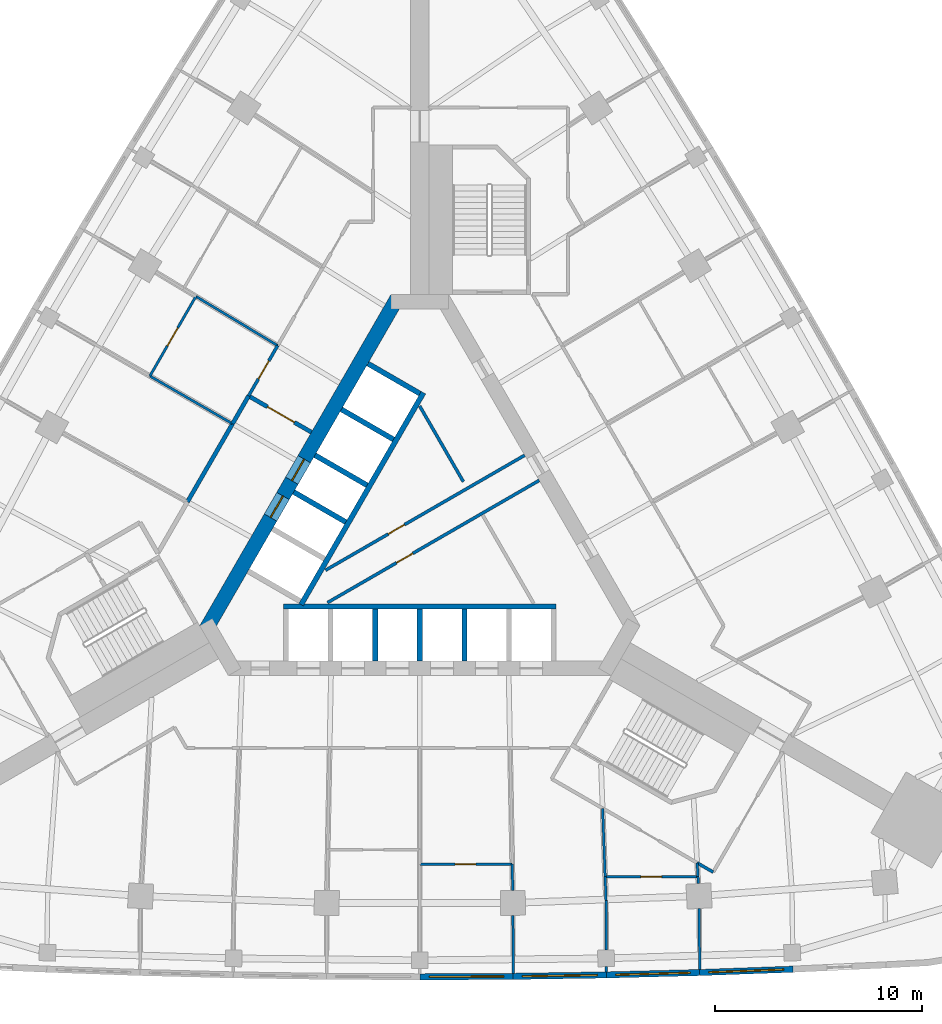
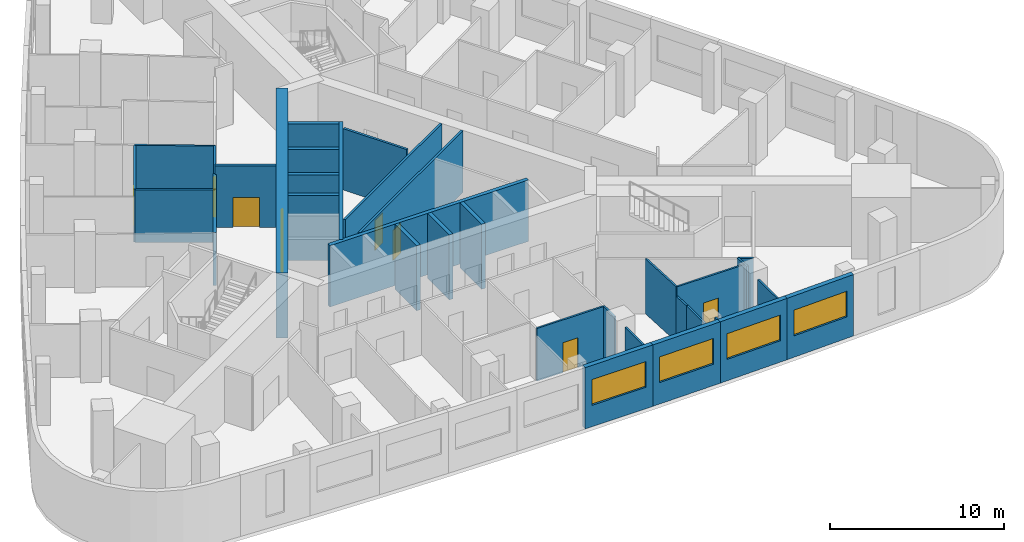
# One storey, part 6 of 11: 36 walls, 9 doors, 4 windows, 13 openings.
"""IFC4 building model written with IfcOpenShell, lengths in metres."""

from ifc_helpers import new_model, si_unit, direction, frame, frame_2d, origin, place, context, subcontext, project, spatial, rectangle, extrude, material, layer, layer_set, type_object, element, fill, save


model = new_model("IFC4")

# Units and contexts
model_context = context("Model", 3, precision=1e-05, world=origin(), true_north=direction((0.0, 1.0)))
body_context = subcontext(model_context, "Body", "Model", "MODEL_VIEW")
ifc_project = project(units=[si_unit("LENGTHUNIT", "METRE"), si_unit("AREAUNIT", "SQUARE_METRE"), si_unit("VOLUMEUNIT", "CUBIC_METRE"), si_unit("PLANEANGLEUNIT", "RADIAN"), si_unit("MASSUNIT", "GRAM", prefix="KILO")], contexts=[model_context])

# Site, building, storey
site_placement = place(None, origin())
site = spatial("IfcSite", under=ifc_project, at=site_placement, CompositionType="ELEMENT")
building_placement = place(site_placement, origin())
building = spatial("IfcBuilding", under=site, at=building_placement, Name="Noor Cloister Tower", CompositionType="ELEMENT")
storey_placement = place(building_placement, frame((0.0, 0.0, 19.5)))
storey = spatial("IfcBuildingStorey", under=building, at=storey_placement, Name="L04", CompositionType="ELEMENT", Elevation=19.5)

# Wall, opening, door
ifc_material_1 = material(Name="Concrete C30/37", Category="concrete")
ifc_layer_1 = layer(ifc_material_1, 0.14990234375)
ifc_layer_set_1 = layer_set([ifc_layer_1], Name="Core partition 150 C30/37")
wall_type_1 = type_object("IfcWallType", Name="Core partition 150 C30/37", PredefinedType="PARTITIONING", material=ifc_layer_set_1)
wall_1_placement = place(storey_placement, frame((-4.547607421875, -1.8505859375, 0.0), z_axis=(0.0, 0.0, 1.0), x_axis=(0.866023939251, 0.500002536638, 0.0)))
wall_1 = element("IfcWall", 1, at=wall_1_placement, inside=storey, type_object=wall_type_1, Name="Core room partition L04 1", PredefinedType="PARTITIONING", context=body_context, shape_type="SweptSolid", body=[
    extrude(rectangle(XDim=11.091796875, YDim=0.14990234375, at=frame_2d((5.5458984375, 0.0))), origin(), (0.0, 0.0, 1.0), 4.300048828125),
])
opening_1_placement = place(wall_1_placement, frame((3.4970703125, 0.0, 0.0)))
opening_1 = element("IfcOpeningElement", 2, at=opening_1_placement, cuts=wall_1, Name="Opening L04-906", PredefinedType="OPENING", context=body_context, shape_type="SweptSolid", body=[
    extrude(rectangle(XDim=0.89990234375, YDim=2.10009765625, at=frame_2d((0.449951171875, 1.050048828125))), frame((0.0, 0.0849609375, 0.0), z_axis=(0.0, -1.0, 0.0), x_axis=(1.0, 0.0, 0.0)), (0.0, 0.0, 1.0), 0.169921875),
])
ifc_material_2 = material(Name="Steel", Category="steel")
door_type_1 = type_object("IfcDoorType", Name="Core door 900 x 2100 FD60", OperationType="SINGLE_SWING_LEFT", PredefinedType="DOOR", material=ifc_material_2)
door_1_placement = place(opening_1_placement, origin())
door_1 = element("IfcDoor", 3, at=door_1_placement, inside=storey, type_object=door_type_1, Name="Core door 6 L04", OperationType="SINGLE_SWING_RIGHT", OverallHeight=2.10009765625, OverallWidth=0.89990234375, PredefinedType="DOOR", context=body_context, shape_type="SweptSolid", body=[
    extrude(rectangle(XDim=0.89990234375, YDim=2.10009765625, at=frame_2d((0.449951171875, 1.050048828125))), frame((0.0, 0.02490234375, 0.0), z_axis=(0.0, -1.0, 0.0), x_axis=(1.0, 0.0, 0.0)), (0.0, 0.0, 1.0), 0.050048828125),
])
fill(opening_1, door_1)

# Wall
wall_2_placement = place(storey_placement, frame((2.099365234375, 2.420166015625, 0.0), z_axis=(0.0, 0.0, 1.0), x_axis=(-0.499998449073, 0.866026299211, 0.0)))
element("IfcWall", 4, at=wall_2_placement, inside=storey, type_object=wall_type_1, Name="Core room partition L04 2", PredefinedType="PARTITIONING", context=body_context, shape_type="SweptSolid", body=[
    extrude(rectangle(XDim=4.21142578125, YDim=0.14990234375, at=frame_2d((2.105712890625, 0.0))), origin(), (0.0, 0.0, 1.0), 4.300048828125),
])

# Wall, opening, door
wall_3_placement = place(storey_placement, frame((-4.454345703125, -3.4130859375, 0.0), z_axis=(0.0, 0.0, 1.0), x_axis=(0.86603043987, 0.499991277142, 0.0)))
wall_3 = element("IfcWall", 5, at=wall_3_placement, inside=storey, type_object=wall_type_1, Name="Core room partition L04 3", PredefinedType="PARTITIONING", context=body_context, shape_type="SweptSolid", body=[
    extrude(rectangle(XDim=11.792236328125, YDim=0.14990234375, at=frame_2d((5.89599609375, 0.0))), origin(), (0.0, 0.0, 1.0), 4.300048828125),
])
opening_2_placement = place(wall_3_placement, frame((3.84716796875, 0.0, 0.0)))
opening_2 = element("IfcOpeningElement", 6, at=opening_2_placement, cuts=wall_3, Name="Opening L04-904", PredefinedType="OPENING", context=body_context, shape_type="SweptSolid", body=[
    extrude(rectangle(XDim=0.89990234375, YDim=2.10009765625, at=frame_2d((0.449951171875, 1.050048828125))), frame((0.0, 0.0849609375, 0.0), z_axis=(0.0, -1.0, 0.0), x_axis=(1.0, 0.0, 0.0)), (0.0, 0.0, 1.0), 0.169921875),
])
ifc_material_3 = material(Name="Steel", Category="steel")
door_type_2 = type_object("IfcDoorType", Name="Core door 900 x 2100 FD120", OperationType="SINGLE_SWING_LEFT", PredefinedType="DOOR", material=ifc_material_3)
door_2_placement = place(opening_2_placement, origin())
door_2 = element("IfcDoor", 7, at=door_2_placement, inside=storey, type_object=door_type_2, Name="Core door 4 L04", OperationType="SINGLE_SWING_RIGHT", OverallHeight=2.10009765625, OverallWidth=0.89990234375, PredefinedType="DOOR", context=body_context, shape_type="SweptSolid", body=[
    extrude(rectangle(XDim=0.89990234375, YDim=2.10009765625, at=frame_2d((0.449951171875, 1.050048828125))), frame((0.0, 0.02490234375, 0.0), z_axis=(0.0, -1.0, 0.0), x_axis=(1.0, 0.0, 0.0)), (0.0, 0.0, 1.0), 0.050048828125),
])
fill(opening_2, door_2)

# Wall, openings, doors
ifc_material_4 = material(Name="Concrete C80/95", Category="concrete")
ifc_layer_2 = layer(ifc_material_4, 0.699951171875)
ifc_layer_set_2 = layer_set([ifc_layer_2], Name="Core wall 700 C80/95")
wall_type_2 = type_object("IfcWallType", Name="Core wall 700 C80/95", PredefinedType="SHEAR", material=ifc_layer_set_2)
wall_4_placement = place(storey_placement, frame((-1.08251953125, 11.281494140625, -0.25), z_axis=(0.0, 0.0, 1.0), x_axis=(-0.500001446645, -0.866024568562, 0.0)))
wall_4 = element("IfcWall", 8, at=wall_4_placement, inside=storey, type_object=wall_type_2, Name="Core wall L04 5", PredefinedType="SHEAR", context=body_context, shape_type="SweptSolid", body=[
    extrude(rectangle(XDim=18.45751953125, YDim=0.699951171875, at=frame_2d((9.228759765625, 0.0))), origin(), (0.0, 0.0, 1.0), 4.550048828125),
])
opening_3_placement = place(wall_4_placement, frame((8.978759765625, 0.0, 0.25)))
opening_3 = element("IfcOpeningElement", 9, at=opening_3_placement, cuts=wall_4, Name="Opening L04-FF1", PredefinedType="OPENING", context=body_context, shape_type="SweptSolid", body=[
    extrude(rectangle(XDim=1.199951171875, YDim=2.10009765625, at=frame_2d((0.60009765625, 1.050048828125))), frame((0.0, 0.35986328125, 0.0), z_axis=(0.0, -1.0, 0.0), x_axis=(1.0, 0.0, 0.0)), (0.0, 0.0, 1.0), 0.719970703125),
])
opening_4_placement = place(wall_4_placement, frame((11.02880859375, 0.0, 0.25)))
opening_4 = element("IfcOpeningElement", 10, at=opening_4_placement, cuts=wall_4, Name="Opening L04-FF2", PredefinedType="OPENING", context=body_context, shape_type="SweptSolid", body=[
    extrude(rectangle(XDim=1.199951171875, YDim=2.10009765625, at=frame_2d((0.60009765625, 1.050048828125))), frame((0.0, 0.35986328125, 0.0), z_axis=(0.0, -1.0, 0.0), x_axis=(1.0, 0.0, 0.0)), (0.0, 0.0, 1.0), 0.719970703125),
])
ifc_material_5 = material(Name="Stainless steel", Category="steel")
door_type_3 = type_object("IfcDoorType", Name="Lift landing door 1200 x 2100", OperationType="DOUBLE_DOOR_SLIDING", PredefinedType="DOOR", material=ifc_material_5)
door_3_placement = place(opening_3_placement, origin())
door_3 = element("IfcDoor", 11, at=door_3_placement, inside=storey, type_object=door_type_3, Name="Landing door FF1 L04", OperationType="DOUBLE_DOOR_SLIDING", OverallHeight=2.10009765625, OverallWidth=1.199951171875, PredefinedType="DOOR", context=body_context, shape_type="SweptSolid", body=[
    extrude(rectangle(XDim=1.199951171875, YDim=2.10009765625, at=frame_2d((0.60009765625, 1.050048828125))), frame((0.0, 0.02490234375, 0.0), z_axis=(0.0, -1.0, 0.0), x_axis=(1.0, 0.0, 0.0)), (0.0, 0.0, 1.0), 0.050048828125),
])
fill(opening_3, door_3)
door_4_placement = place(opening_4_placement, origin())
door_4 = element("IfcDoor", 12, at=door_4_placement, inside=storey, type_object=door_type_3, Name="Landing door FF2 L04", OperationType="DOUBLE_DOOR_SLIDING", OverallHeight=2.10009765625, OverallWidth=1.199951171875, PredefinedType="DOOR", context=body_context, shape_type="SweptSolid", body=[
    extrude(rectangle(XDim=1.199951171875, YDim=2.10009765625, at=frame_2d((0.60009765625, 1.050048828125))), frame((0.0, 0.02490234375, 0.0), z_axis=(0.0, -1.0, 0.0), x_axis=(1.0, 0.0, 0.0)), (0.0, 0.0, 1.0), 0.050048828125),
])
fill(opening_4, door_4)

# Wall
ifc_material_6 = material(Name="Plasterboard on steel studs", Category="steel")
ifc_layer_3 = layer(ifc_material_6, 0.14990234375)
ifc_layer_set_3 = layer_set([ifc_layer_3], Name="Corridor wall 150")
wall_type_3 = type_object("IfcWallType", Name="Corridor wall 150", PredefinedType="PARTITIONING", material=ifc_layer_set_3)
wall_5_placement = place(storey_placement, frame((14.14697265625, -16.406982421875, 0.0), z_axis=(0.0, 0.0, 1.0), x_axis=(-0.866276218641, 0.499565324075, 0.0)))
element("IfcWall", 13, at=wall_5_placement, inside=storey, type_object=wall_type_3, Name="Partition", PredefinedType="PARTITIONING", context=body_context, shape_type="SweptSolid", body=[
    extrude(rectangle(XDim=0.896728515625, YDim=0.14990234375, at=frame_2d((0.4482421875, 0.0))), origin(), (0.0, 0.0, 1.0), 3.89404296875),
])

# Wall, opening, door
wall_6_placement = place(storey_placement, frame((-8.256103515625, 6.55810546875, 0.0), z_axis=(0.0, 0.0, 1.0), x_axis=(0.500081734942, 0.86597820895, 0.0)))
wall_6 = element("IfcWall", 14, at=wall_6_placement, inside=storey, type_object=wall_type_3, Name="Partition", PredefinedType="PARTITIONING", context=body_context, shape_type="SweptSolid", body=[
    extrude(rectangle(XDim=2.8037109375, YDim=0.14990234375, at=frame_2d((1.40185546875, 0.0))), origin(), (0.0, 0.0, 1.0), 3.697998046875),
])
opening_5_placement = place(wall_6_placement, frame((0.949951171875, 0.0, 0.0)))
opening_5 = element("IfcOpeningElement", 15, at=opening_5_placement, cuts=wall_6, Name="Opening L04-019", PredefinedType="OPENING", context=body_context, shape_type="SweptSolid", body=[
    extrude(rectangle(XDim=1.0, YDim=2.10009765625, at=frame_2d((0.5, 1.050048828125))), frame((0.0, 0.0849609375, 0.0), z_axis=(0.0, -1.0, 0.0), x_axis=(1.0, 0.0, 0.0)), (0.0, 0.0, 1.0), 0.169921875),
])
ifc_material_7 = material(Name="Timber door leaf", Category="wood")
door_type_4 = type_object("IfcDoorType", Name="Clinic room door 1000", OperationType="SINGLE_SWING_LEFT", PredefinedType="DOOR", material=ifc_material_7)
door_5_placement = place(opening_5_placement, origin())
door_5 = element("IfcDoor", 16, at=door_5_placement, inside=storey, type_object=door_type_4, Name="Door L04-019", OperationType="SINGLE_SWING_RIGHT", OverallHeight=2.10009765625, OverallWidth=1.0, PredefinedType="DOOR", context=body_context, shape_type="SweptSolid", body=[
    extrude(rectangle(XDim=1.0, YDim=2.10009765625, at=frame_2d((0.5, 1.050048828125))), frame((0.0, 0.02490234375, 0.0), z_axis=(0.0, -1.0, 0.0), x_axis=(1.0, 0.0, 0.0)), (0.0, 0.0, 1.0), 0.050048828125),
])
fill(opening_5, door_5)

# Walls
ifc_material_8 = material(Name="Reinforced blockwork", Category="masonry")
ifc_layer_4 = layer(ifc_material_8, 0.199951171875)
ifc_layer_set_4 = layer_set([ifc_layer_4], Name="Fire rated block wall 200")
wall_type_4 = type_object("IfcWallType", Name="Fire rated block wall 200", PredefinedType="PARTITIONING", material=ifc_layer_set_4)
wall_7_placement = place(storey_placement, frame((-9.031005859375, 5.212890625, 0.0), z_axis=(0.0, 0.0, 1.0), x_axis=(-0.500044734646, -0.865999574684, 0.0)))
element("IfcWall", 17, at=wall_7_placement, inside=storey, type_object=wall_type_4, Name="Fire rated wall", PredefinedType="PARTITIONING", context=body_context, shape_type="SweptSolid", body=[
    extrude(rectangle(XDim=4.349609375, YDim=0.199951171875, at=frame_2d((2.1748046875, 0.0))), origin(), (0.0, 0.0, 1.0), 3.68798828125),
])
wall_8_placement = place(storey_placement, frame((-8.256103515625, 6.554931640625, 0.0), z_axis=(0.0, 0.0, 1.0), x_axis=(-0.499904469662, -0.866080551226, 0.0)))
element("IfcWall", 18, at=wall_8_placement, inside=storey, type_object=wall_type_4, Name="Fire rated wall", PredefinedType="PARTITIONING", context=body_context, shape_type="SweptSolid", body=[
    extrude(rectangle(XDim=1.548095703125, YDim=0.199951171875, at=frame_2d((0.77392578125, 0.0))), origin(), (0.0, 0.0, 1.0), 3.68798828125),
])

# Wall, opening, door
wall_9_placement = place(storey_placement, frame((-5.22607421875, 4.805908203125, 0.0), z_axis=(0.0, 0.0, 1.0), x_axis=(-0.865949687125, 0.500131122175, 0.0)))
wall_9 = element("IfcWall", 19, at=wall_9_placement, inside=storey, type_object=wall_type_4, Name="Fire rated wall", PredefinedType="PARTITIONING", context=body_context, shape_type="SweptSolid", body=[
    extrude(rectangle(XDim=3.4990234375, YDim=0.199951171875, at=frame_2d((1.74951171875, 0.0))), origin(), (0.0, 0.0, 1.0), 4.300048828125),
])
opening_6_placement = place(wall_9_placement, frame((0.949951171875, 0.0, 0.0)))
opening_6 = element("IfcOpeningElement", 20, at=opening_6_placement, cuts=wall_9, Name="Opening L04-032", PredefinedType="OPENING", context=body_context, shape_type="SweptSolid", body=[
    extrude(rectangle(XDim=1.5, YDim=2.10009765625, at=frame_2d((0.75, 1.050048828125))), frame((0.0, 0.10986328125, 0.0), z_axis=(0.0, -1.0, 0.0), x_axis=(1.0, 0.0, 0.0)), (0.0, 0.0, 1.0), 0.219970703125),
])
ifc_material_9 = material(Name="Steel fire door", Category="steel")
door_type_5 = type_object("IfcDoorType", Name="Smoke barrier door FD60 1500", OperationType="DOUBLE_DOOR_SINGLE_SWING", PredefinedType="DOOR", material=ifc_material_9)
door_6_placement = place(opening_6_placement, origin())
door_6 = element("IfcDoor", 21, at=door_6_placement, inside=storey, type_object=door_type_5, Name="Door L04-032", OperationType="DOUBLE_DOOR_SINGLE_SWING", OverallHeight=2.10009765625, OverallWidth=1.5, PredefinedType="DOOR", context=body_context, shape_type="SweptSolid", body=[
    extrude(rectangle(XDim=1.5, YDim=2.10009765625, at=frame_2d((0.75, 1.050048828125))), frame((0.0, 0.02490234375, 0.0), z_axis=(0.0, -1.0, 0.0), x_axis=(1.0, 0.0, 0.0)), (0.0, 0.0, 1.0), 0.050048828125),
])
fill(opening_6, door_6)

# Wall, opening, window
ifc_material_10 = material(Name="Limestone", Category="masonry")
ifc_layer_5 = layer(ifc_material_10, 0.300048828125)
ifc_layer_set_5 = layer_set([ifc_layer_5], Name="Limestone panel wall 300")
wall_type_5 = type_object("IfcWallType", Name="Limestone panel wall 300", PredefinedType="NOTDEFINED", material=ifc_layer_set_5)
wall_10_placement = place(storey_placement, frame((4.4970703125, -21.43408203125, 0.0), z_axis=(0.0, 0.0, 1.0), x_axis=(-0.999986693461, -0.005158769258, 0.0)))
wall_10 = element("IfcWall", 22, at=wall_10_placement, inside=storey, type_object=wall_type_5, Name="Limestone wall L04 S 6", PredefinedType="NOTDEFINED", context=body_context, shape_type="SweptSolid", body=[
    extrude(rectangle(XDim=4.495849609375, YDim=0.300048828125, at=frame_2d((2.248046875, 0.0))), origin(), (0.0, 0.0, 1.0), 4.300048828125),
])
opening_7_placement = place(wall_10_placement, frame((0.447998046875, 0.0, 1.5)))
opening_7 = element("IfcOpeningElement", 23, at=opening_7_placement, cuts=wall_10, Name="Opening L04-W16", PredefinedType="OPENING", context=body_context, shape_type="SweptSolid", body=[
    extrude(rectangle(XDim=3.60009765625, YDim=1.800048828125, at=frame_2d((1.800048828125, 0.89990234375))), frame((0.0, 0.16015625, 0.0), z_axis=(0.0, -1.0, 0.0), x_axis=(1.0, 0.0, 0.0)), (0.0, 0.0, 1.0), 0.320068359375),
])
ifc_material_11 = material(Name="Aluminium 6063-T6 anodised", Category="aluminium")
window_type = type_object("IfcWindowType", Name="Clerestory window 3600 x 1800", PartitioningType="SINGLE_PANEL", PredefinedType="WINDOW", material=ifc_material_11)
window_1_placement = place(opening_7_placement, origin())
window_1 = element("IfcWindow", 24, at=window_1_placement, inside=storey, type_object=window_type, Name="Window L04 16", OverallHeight=1.800048828125, OverallWidth=3.60009765625, PartitioningType="SINGLE_PANEL", PredefinedType="WINDOW", context=body_context, shape_type="SweptSolid", body=[
    extrude(rectangle(XDim=3.60009765625, YDim=1.800048828125, at=frame_2d((1.800048828125, 0.89990234375))), frame((0.0, 0.030029296875, 0.0), z_axis=(0.0, -1.0, 0.0), x_axis=(1.0, 0.0, 0.0)), (0.0, 0.0, 1.0), 0.06005859375),
])
fill(opening_7, window_1)

wall_11_placement = place(storey_placement, frame((8.9951171875, -21.364990234375, 0.0), z_axis=(0.0, 0.0, 1.0), x_axis=(-0.999881921814, -0.015366926462, 0.0)))
wall_11 = element("IfcWall", 25, at=wall_11_placement, inside=storey, type_object=wall_type_5, Name="Limestone wall L04 S 7", PredefinedType="NOTDEFINED", context=body_context, shape_type="SweptSolid", body=[
    extrude(rectangle(XDim=4.49609375, YDim=0.300048828125, at=frame_2d((2.248046875, 0.0))), origin(), (0.0, 0.0, 1.0), 4.300048828125),
])
opening_8_placement = place(wall_11_placement, frame((0.447998046875, 0.0, 1.5)))
opening_8 = element("IfcOpeningElement", 26, at=opening_8_placement, cuts=wall_11, Name="Opening L04-W17", PredefinedType="OPENING", context=body_context, shape_type="SweptSolid", body=[
    extrude(rectangle(XDim=3.60009765625, YDim=1.800048828125, at=frame_2d((1.800048828125, 0.89990234375))), frame((0.0, 0.16015625, 0.0), z_axis=(0.0, -1.0, 0.0), x_axis=(1.0, 0.0, 0.0)), (0.0, 0.0, 1.0), 0.320068359375),
])
window_2_placement = place(opening_8_placement, origin())
window_2 = element("IfcWindow", 27, at=window_2_placement, inside=storey, type_object=window_type, Name="Window L04 17", OverallHeight=1.800048828125, OverallWidth=3.60009765625, PartitioningType="SINGLE_PANEL", PredefinedType="WINDOW", context=body_context, shape_type="SweptSolid", body=[
    extrude(rectangle(XDim=3.60009765625, YDim=1.800048828125, at=frame_2d((1.800048828125, 0.89990234375))), frame((0.0, 0.030029296875, 0.0), z_axis=(0.0, -1.0, 0.0), x_axis=(1.0, 0.0, 0.0)), (0.0, 0.0, 1.0), 0.06005859375),
])
fill(opening_8, window_2)

wall_12_placement = place(storey_placement, frame((13.491943359375, -21.24951171875, 0.0), z_axis=(0.0, 0.0, 1.0), x_axis=(-0.999671466587, -0.025631209312, 0.0)))
wall_12 = element("IfcWall", 28, at=wall_12_placement, inside=storey, type_object=wall_type_5, Name="Limestone wall L04 S 8", PredefinedType="NOTDEFINED", context=body_context, shape_type="SweptSolid", body=[
    extrude(rectangle(XDim=4.495849609375, YDim=0.300048828125, at=frame_2d((2.248046875, 0.0))), origin(), (0.0, 0.0, 1.0), 4.300048828125),
])
opening_9_placement = place(wall_12_placement, frame((0.447998046875, 0.0, 1.5)))
opening_9 = element("IfcOpeningElement", 29, at=opening_9_placement, cuts=wall_12, Name="Opening L04-W18", PredefinedType="OPENING", context=body_context, shape_type="SweptSolid", body=[
    extrude(rectangle(XDim=3.60009765625, YDim=1.800048828125, at=frame_2d((1.800048828125, 0.89990234375))), frame((0.0, 0.16015625, 0.0), z_axis=(0.0, -1.0, 0.0), x_axis=(1.0, 0.0, 0.0)), (0.0, 0.0, 1.0), 0.320068359375),
])
window_3_placement = place(opening_9_placement, origin())
window_3 = element("IfcWindow", 30, at=window_3_placement, inside=storey, type_object=window_type, Name="Window L04 18", OverallHeight=1.800048828125, OverallWidth=3.60009765625, PartitioningType="SINGLE_PANEL", PredefinedType="WINDOW", context=body_context, shape_type="SweptSolid", body=[
    extrude(rectangle(XDim=3.60009765625, YDim=1.800048828125, at=frame_2d((1.800048828125, 0.89990234375))), frame((0.0, 0.030029296875, 0.0), z_axis=(0.0, -1.0, 0.0), x_axis=(1.0, 0.0, 0.0)), (0.0, 0.0, 1.0), 0.06005859375),
])
fill(opening_9, window_3)

wall_13_placement = place(storey_placement, frame((17.987548828125, -21.087890625, 0.0), z_axis=(0.0, 0.0, 1.0), x_axis=(-0.999355640029, -0.035892962294, 0.0)))
wall_13 = element("IfcWall", 31, at=wall_13_placement, inside=storey, type_object=wall_type_5, Name="Limestone wall L04 S 9", PredefinedType="NOTDEFINED", context=body_context, shape_type="SweptSolid", body=[
    extrude(rectangle(XDim=4.49609375, YDim=0.300048828125, at=frame_2d((2.248046875, 0.0))), origin(), (0.0, 0.0, 1.0), 4.300048828125),
])
opening_10_placement = place(wall_13_placement, frame((0.447998046875, 0.0, 1.5)))
opening_10 = element("IfcOpeningElement", 32, at=opening_10_placement, cuts=wall_13, Name="Opening L04-W19", PredefinedType="OPENING", context=body_context, shape_type="SweptSolid", body=[
    extrude(rectangle(XDim=3.60009765625, YDim=1.800048828125, at=frame_2d((1.800048828125, 0.89990234375))), frame((0.0, 0.16015625, 0.0), z_axis=(0.0, -1.0, 0.0), x_axis=(1.0, 0.0, 0.0)), (0.0, 0.0, 1.0), 0.320068359375),
])
window_4_placement = place(opening_10_placement, origin())
window_4 = element("IfcWindow", 33, at=window_4_placement, inside=storey, type_object=window_type, Name="Window L04 19", OverallHeight=1.800048828125, OverallWidth=3.60009765625, PartitioningType="SINGLE_PANEL", PredefinedType="WINDOW", context=body_context, shape_type="SweptSolid", body=[
    extrude(rectangle(XDim=3.60009765625, YDim=1.800048828125, at=frame_2d((1.800048828125, 0.89990234375))), frame((0.0, 0.030029296875, 0.0), z_axis=(0.0, -1.0, 0.0), x_axis=(1.0, 0.0, 0.0)), (0.0, 0.0, 1.0), 0.06005859375),
])
fill(opening_10, window_4)

# Walls
ifc_material_12 = material(Name="Plasterboard on steel studs", Category="steel")
ifc_layer_6 = layer(ifc_material_12, 0.1201171875)
ifc_layer_set_6 = layer_set([ifc_layer_6], Name="Partition wall 120")
wall_type_6 = type_object("IfcWallType", Name="Partition wall 120", PredefinedType="PARTITIONING", material=ifc_layer_set_6)
wall_14_placement = place(storey_placement, frame((4.47802734375, -17.291015625, 0.0), z_axis=(0.0, 0.0, 1.0), x_axis=(-0.018108783452, 0.999836022537, 0.0)))
element("IfcWall", 34, at=wall_14_placement, inside=storey, type_object=wall_type_6, Name="Partition", PredefinedType="PARTITIONING", context=body_context, shape_type="SweptSolid", body=[
    extrude(rectangle(XDim=1.267333984375, YDim=0.1201171875, at=frame_2d((0.6337890625, 0.0))), origin(), (0.0, 0.0, 1.0), 3.697998046875),
])
wall_15_placement = place(storey_placement, frame((4.4990234375, -21.283935546875, 0.0), z_axis=(0.0, 0.0, 1.0), x_axis=(-0.00288561233, 0.999995836612, 0.0)))
element("IfcWall", 35, at=wall_15_placement, inside=storey, type_object=wall_type_6, Name="Partition", PredefinedType="PARTITIONING", context=body_context, shape_type="SweptSolid", body=[
    extrude(rectangle(XDim=2.7919921875, YDim=0.1201171875, at=frame_2d((1.39599609375, 0.0))), origin(), (0.0, 0.0, 1.0), 3.68310546875),
])

# Wall, opening, door
wall_16_placement = place(storey_placement, frame((4.455078125, -16.028076171875, 0.0), z_axis=(0.0, 0.0, 1.0), x_axis=(-1.0, 0.0, 0.0)))
wall_16 = element("IfcWall", 36, at=wall_16_placement, inside=storey, type_object=wall_type_6, Name="Partition", PredefinedType="PARTITIONING", context=body_context, shape_type="SweptSolid", body=[
    extrude(rectangle(XDim=4.455078125, YDim=0.1201171875, at=frame_2d((2.2275390625, 0.0))), origin(), (0.0, 0.0, 1.0), 3.68798828125),
])
opening_11_placement = place(wall_16_placement, frame((1.75, 0.0, 0.0)))
opening_11 = element("IfcOpeningElement", 37, at=opening_11_placement, cuts=wall_16, Name="Opening L04-001", PredefinedType="OPENING", context=body_context, shape_type="SweptSolid", body=[
    extrude(rectangle(XDim=1.0, YDim=2.10009765625, at=frame_2d((0.5, 1.050048828125))), frame((0.0, 0.070068359375, 0.0), z_axis=(0.0, -1.0, 0.0), x_axis=(1.0, 0.0, 0.0)), (0.0, 0.0, 1.0), 0.14013671875),
])
door_7_placement = place(opening_11_placement, origin())
door_7 = element("IfcDoor", 38, at=door_7_placement, inside=storey, type_object=door_type_4, Name="Door L04-001", OperationType="SINGLE_SWING_RIGHT", OverallHeight=2.10009765625, OverallWidth=1.0, PredefinedType="DOOR", context=body_context, shape_type="SweptSolid", body=[
    extrude(rectangle(XDim=1.0, YDim=2.10009765625, at=frame_2d((0.5, 1.050048828125))), frame((0.0, 0.02490234375, 0.0), z_axis=(0.0, -1.0, 0.0), x_axis=(1.0, 0.0, 0.0)), (0.0, 0.0, 1.0), 0.050048828125),
])
fill(opening_11, door_7)

# Walls
wall_17_placement = place(storey_placement, frame((13.428955078125, -16.958984375, 0.0), z_axis=(0.0, 0.0, 1.0), x_axis=(-0.053857579026, 0.998548627349, 0.0)))
element("IfcWall", 39, at=wall_17_placement, inside=storey, type_object=wall_type_6, Name="Partition", PredefinedType="PARTITIONING", context=body_context, shape_type="SweptSolid", body=[
    extrude(rectangle(XDim=0.33544921875, YDim=0.1201171875, at=frame_2d((0.167724609375, 0.0))), origin(), (0.0, 0.0, 1.0), 3.89404296875),
])
wall_18_placement = place(storey_placement, frame((13.4951171875, -21.09912109375, 0.0), z_axis=(0.0, 0.0, 1.0), x_axis=(-0.009216581037, 0.999957526415, 0.0)))
element("IfcWall", 40, at=wall_18_placement, inside=storey, type_object=wall_type_6, Name="Partition", PredefinedType="PARTITIONING", context=body_context, shape_type="SweptSolid", body=[
    extrude(rectangle(XDim=2.9404296875, YDim=0.1201171875, at=frame_2d((1.47021484375, 0.0))), origin(), (0.0, 0.0, 1.0), 3.68310546875),
])
wall_19_placement = place(storey_placement, frame((8.93603515625, -16.6240234375, 0.0), z_axis=(0.0, 0.0, 1.0), x_axis=(0.036711673362, -0.999325899314, 0.0)))
element("IfcWall", 41, at=wall_19_placement, inside=storey, type_object=wall_type_6, Name="Partition", PredefinedType="PARTITIONING", context=body_context, shape_type="SweptSolid", body=[
    extrude(rectangle(XDim=1.143798828125, YDim=0.1201171875, at=frame_2d((0.57177734375, 0.0))), origin(), (0.0, 0.0, 1.0), 3.179931640625),
])
wall_20_placement = place(storey_placement, frame((8.97802734375, -17.76708984375, 0.0), z_axis=(0.0, 0.0, 1.0), x_axis=(0.005803200997, -0.999983161287, 0.0)))
element("IfcWall", 42, at=wall_20_placement, inside=storey, type_object=wall_type_6, Name="Partition", PredefinedType="PARTITIONING", context=body_context, shape_type="SweptSolid", body=[
    extrude(rectangle(XDim=2.39794921875, YDim=0.1201171875, at=frame_2d((1.198974609375, 0.0))), origin(), (0.0, 0.0, 1.0), 3.179931640625),
])
wall_21_placement = place(storey_placement, frame((8.99609375, -20.965087890625, 0.0), z_axis=(0.0, 0.0, 1.0), x_axis=(0.007812261592, -0.999969483819, 0.0)))
element("IfcWall", 43, at=wall_21_placement, inside=storey, type_object=wall_type_6, Name="Partition", PredefinedType="PARTITIONING", context=body_context, shape_type="SweptSolid", body=[
    extrude(rectangle(XDim=0.25, YDim=0.1201171875, at=frame_2d((0.125, 0.0))), origin(), (0.0, 0.0, 1.0), 4.300048828125),
])

# Wall, opening, door
wall_22_placement = place(storey_placement, frame((13.410888671875, -16.6279296875, 0.0), z_axis=(0.0, 0.0, 1.0), x_axis=(-1.0, 0.0, 0.0)))
wall_22 = element("IfcWall", 44, at=wall_22_placement, inside=storey, type_object=wall_type_6, Name="Partition", PredefinedType="PARTITIONING", context=body_context, shape_type="SweptSolid", body=[
    extrude(rectangle(XDim=4.475830078125, YDim=0.1201171875, at=frame_2d((2.23779296875, 0.0))), origin(), (0.0, 0.0, 1.0), 3.843017578125),
])
opening_12_placement = place(wall_22_placement, frame((1.75, 0.0, 0.0)))
opening_12 = element("IfcOpeningElement", 45, at=opening_12_placement, cuts=wall_22, Name="Opening L04-002", PredefinedType="OPENING", context=body_context, shape_type="SweptSolid", body=[
    extrude(rectangle(XDim=1.0, YDim=2.10009765625, at=frame_2d((0.5, 1.050048828125))), frame((0.0, 0.070068359375, 0.0), z_axis=(0.0, -1.0, 0.0), x_axis=(1.0, 0.0, 0.0)), (0.0, 0.0, 1.0), 0.14013671875),
])
door_8_placement = place(opening_12_placement, origin())
door_8 = element("IfcDoor", 46, at=door_8_placement, inside=storey, type_object=door_type_4, Name="Door L04-002", OperationType="SINGLE_SWING_RIGHT", OverallHeight=2.10009765625, OverallWidth=1.0, PredefinedType="DOOR", context=body_context, shape_type="SweptSolid", body=[
    extrude(rectangle(XDim=1.0, YDim=2.10009765625, at=frame_2d((0.5, 1.050048828125))), frame((0.0, 0.02490234375, 0.0), z_axis=(0.0, -1.0, 0.0), x_axis=(1.0, 0.0, 0.0)), (0.0, 0.0, 1.0), 0.050048828125),
])
fill(opening_12, door_8)

# Walls
wall_23_placement = place(storey_placement, frame((13.373046875, -15.9609375, 0.0), z_axis=(0.0, 0.0, 1.0), x_axis=(0.056726690049, -0.998389744857, 0.0)))
element("IfcWall", 47, at=wall_23_placement, inside=storey, type_object=wall_type_6, Name="Partition", PredefinedType="PARTITIONING", context=body_context, shape_type="SweptSolid", body=[
    extrude(rectangle(XDim=0.6669921875, YDim=0.1201171875, at=frame_2d((0.33349609375, 0.0))), origin(), (0.0, 0.0, 1.0), 3.89404296875),
])
wall_24_placement = place(storey_placement, frame((8.93505859375, -16.626953125, 0.0), z_axis=(0.0, 0.0, 1.0), x_axis=(-0.036989770664, 0.999315644262, 0.0)))
element("IfcWall", 48, at=wall_24_placement, inside=storey, type_object=wall_type_6, Name="Partition", PredefinedType="PARTITIONING", context=body_context, shape_type="SweptSolid", body=[
    extrude(rectangle(XDim=3.300048828125, YDim=0.1201171875, at=frame_2d((1.64990234375, 0.0))), origin(), (0.0, 0.0, 1.0), 3.843017578125),
])
wall_25_placement = place(storey_placement, frame((-9.031982421875, 5.214111328125, 0.0), z_axis=(0.0, 0.0, 1.0), x_axis=(-0.866038805516, 0.499976786802, 0.0)))
element("IfcWall", 49, at=wall_25_placement, inside=storey, type_object=wall_type_6, Name="Partition", PredefinedType="PARTITIONING", context=body_context, shape_type="SweptSolid", body=[
    extrude(rectangle(XDim=4.597900390625, YDim=0.1201171875, at=frame_2d((2.298828125, 0.0))), origin(), (0.0, 0.0, 1.0), 3.68798828125),
])

# Wall, opening, door
wall_26_placement = place(storey_placement, frame((-10.797119140625, 11.35498046875, 0.0), z_axis=(0.0, 0.0, 1.0), x_axis=(-0.500117989508, -0.865957271793, 0.0)))
wall_26 = element("IfcWall", 50, at=wall_26_placement, inside=storey, type_object=wall_type_6, Name="Partition", PredefinedType="PARTITIONING", context=body_context, shape_type="SweptSolid", body=[
    extrude(rectangle(XDim=4.4345703125, YDim=0.1201171875, at=frame_2d((2.21728515625, 0.0))), origin(), (0.0, 0.0, 1.0), 3.68798828125),
])
opening_13_placement = place(wall_26_placement, frame((1.75, 0.0, 0.0)))
opening_13 = element("IfcOpeningElement", 51, at=opening_13_placement, cuts=wall_26, Name="Opening L04-022", PredefinedType="OPENING", context=body_context, shape_type="SweptSolid", body=[
    extrude(rectangle(XDim=1.0, YDim=2.10009765625, at=frame_2d((0.5, 1.050048828125))), frame((0.0, 0.070068359375, 0.0), z_axis=(0.0, -1.0, 0.0), x_axis=(1.0, 0.0, 0.0)), (0.0, 0.0, 1.0), 0.14013671875),
])
door_9_placement = place(opening_13_placement, origin())
door_9 = element("IfcDoor", 52, at=door_9_placement, inside=storey, type_object=door_type_4, Name="Door L04-022", OperationType="SINGLE_SWING_LEFT", OverallHeight=2.10009765625, OverallWidth=1.0, PredefinedType="DOOR", context=body_context, shape_type="SweptSolid", body=[
    extrude(rectangle(XDim=1.0, YDim=2.10009765625, at=frame_2d((0.5, 1.050048828125))), frame((0.0, 0.02490234375, 0.0), z_axis=(0.0, -1.0, 0.0), x_axis=(1.0, 0.0, 0.0)), (0.0, 0.0, 1.0), 0.050048828125),
])
fill(opening_13, door_9)

# Walls
wall_27_placement = place(storey_placement, frame((-6.85693359375, 8.98291015625, 0.0), z_axis=(0.0, 0.0, 1.0), x_axis=(-0.856691171268, 0.515829658968, 0.0)))
element("IfcWall", 53, at=wall_27_placement, inside=storey, type_object=wall_type_6, Name="Partition", PredefinedType="PARTITIONING", context=body_context, shape_type="SweptSolid", body=[
    extrude(rectangle(XDim=4.600341796875, YDim=0.1201171875, at=frame_2d((2.30029296875, 0.0))), origin(), (0.0, 0.0, 1.0), 3.697998046875),
])
ifc_material_13 = material(Name="Concrete C80/95", Category="concrete")
ifc_layer_7 = layer(ifc_material_13, 0.25)
ifc_layer_set_7 = layer_set([ifc_layer_7], Name="Shaft wall 250 C80/95")
wall_type_7 = type_object("IfcWallType", Name="Shaft wall 250 C80/95", PredefinedType="PARTITIONING", material=ifc_layer_set_7)
for number, where, z_axis, x_axis, name in (
    (54, (-2.14990234375, -6.228271484375, -0.25), (0.0, 0.0, 1.0), (0.0, 1.0, 0.0), "Lift shaft wall L04 S 3"),
    (55, (0.0, -6.228271484375, -0.25), (0.0, 0.0, 1.0), (0.0, 1.0, 0.0), "Lift shaft wall L04 S 4"),
    (56, (2.14990234375, -6.228271484375, -0.25), (0.0, 0.0, 1.0), (0.0, 1.0, 0.0), "Lift shaft wall L04 S 5"),
):
    element("IfcWall", number, at=place(storey_placement, frame(where, z_axis=z_axis, x_axis=x_axis)), inside=storey, type_object=wall_type_7, Name=name, PredefinedType="PARTITIONING", context=body_context, shape_type="SweptSolid", body=[
        extrude(rectangle(XDim=2.5, YDim=0.25, at=frame_2d((1.25, 0.0))), origin(), (0.0, 0.0, 1.0), 4.550048828125),
    ])
wall_28_placement = place(storey_placement, frame((-6.574951171875, -3.603271484375, 0.0), z_axis=(0.0, 0.0, 1.0), x_axis=(1.0, 0.0, 0.0)))
element("IfcWall", 57, at=wall_28_placement, inside=storey, type_object=wall_type_7, Name="Lift shaft back wall L04 S", PredefinedType="PARTITIONING", context=body_context, shape_type="SweptSolid", body=[
    extrude(rectangle(XDim=13.14990234375, YDim=0.25, at=frame_2d((6.574951171875, 0.0))), origin(), (0.0, 0.0, 1.0), 4.300048828125),
])
wall_29_placement = place(storey_placement, frame((-2.50634765625, 8.115478515625, -0.25), z_axis=(0.0, 0.0, 1.0), x_axis=(0.865996321171, -0.50005036918, 0.0)))
element("IfcWall", 58, at=wall_29_placement, inside=storey, type_object=wall_type_7, Name="Lift shaft wall L04 NW 1", PredefinedType="PARTITIONING", context=body_context, shape_type="SweptSolid", body=[
    extrude(rectangle(XDim=2.900146484375, YDim=0.25, at=frame_2d((1.4501953125, 0.0))), origin(), (0.0, 0.0, 1.0), 4.550048828125),
])
for number, where, z_axis, x_axis, name in (
    (59, (-3.78125, 5.906982421875, -0.25), (0.0, 0.0, 1.0), (0.866032775405, -0.499987231761, 0.0), "Lift shaft wall L04 NW 2"),
    (60, (-5.056396484375, 3.69873046875, -0.25), (0.0, 0.0, 1.0), (0.866032775405, -0.499987231761, 0.0), "Lift shaft wall L04 NW 3"),
    (61, (-6.081298828125, 1.92333984375, -0.25), (0.0, 0.0, 1.0), (0.866032775405, -0.499987231761, 0.0), "Lift shaft wall L04 NW 4"),
):
    element("IfcWall", number, at=place(storey_placement, frame(where, z_axis=z_axis, x_axis=x_axis)), inside=storey, type_object=wall_type_7, Name=name, PredefinedType="PARTITIONING", context=body_context, shape_type="SweptSolid", body=[
        extrude(rectangle(XDim=2.89990234375, YDim=0.25, at=frame_2d((1.449951171875, 0.0))), origin(), (0.0, 0.0, 1.0), 4.550048828125),
    ])
wall_30_placement = place(storey_placement, frame((0.176025390625, 6.711181640625, 0.0), z_axis=(0.0, 0.0, 1.0), x_axis=(-0.500004227369, -0.866022963098, 0.0)))
element("IfcWall", 62, at=wall_30_placement, inside=storey, type_object=wall_type_7, Name="Lift shaft back wall L04 NW", PredefinedType="PARTITIONING", context=body_context, shape_type="SweptSolid", body=[
    extrude(rectangle(XDim=11.80029296875, YDim=0.25, at=frame_2d((5.900146484375, 0.0))), origin(), (0.0, 0.0, 1.0), 4.300048828125),
])

save(model, "model.ifc")
